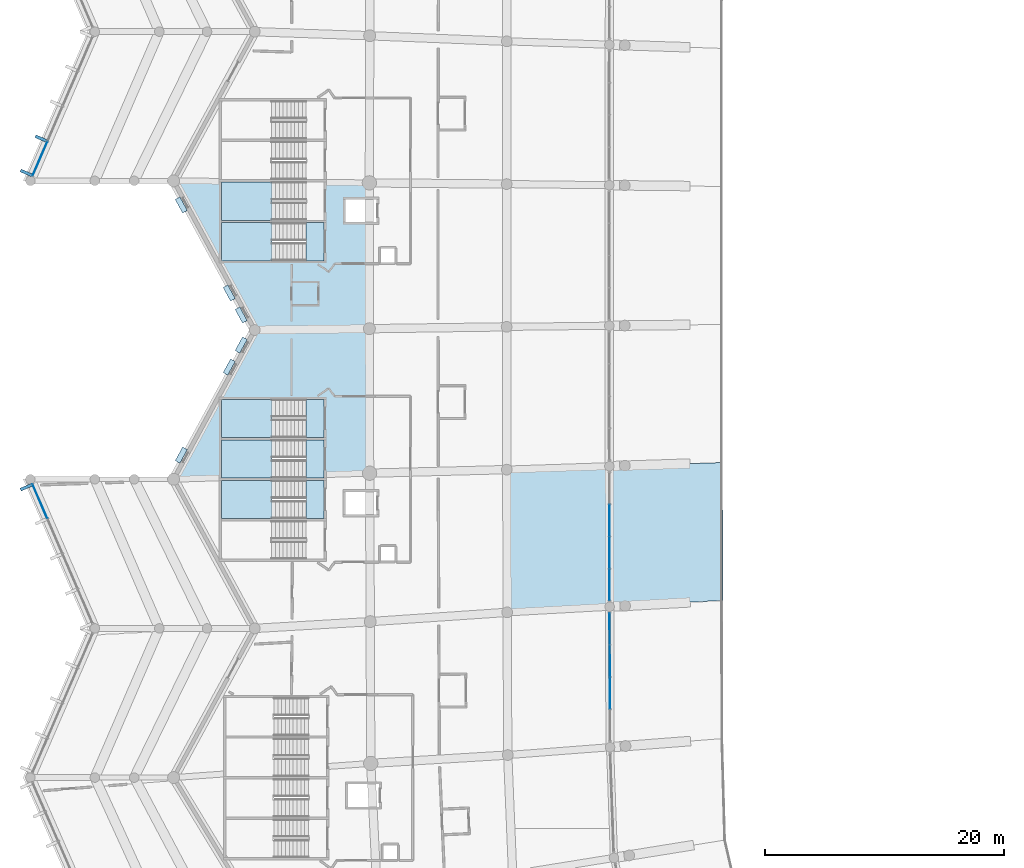
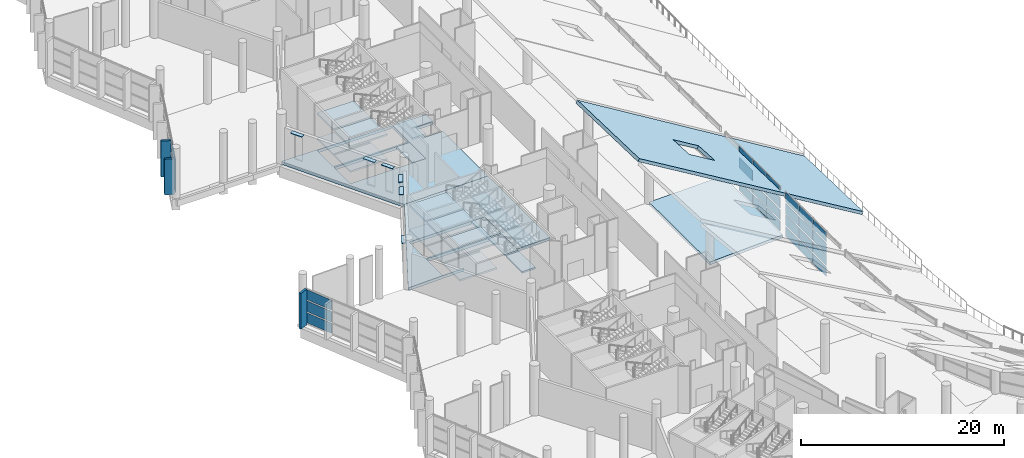
# One storey, part 105 of 249: 39 plates, 22 slabs, 9 elements without a shape of their own.
"""IFC4 building model written with IfcOpenShell, lengths in metres."""

from ifc_helpers import new_model, si_unit, direction, frame, origin, origin_2d, place, context, subcontext, project, spatial, polyline, rectangle, outline, extrude, material, layer, layer_set, type_object, element, aggregate, save


model = new_model("IFC4")

# Units and contexts
model_context = context("Model", 3, precision=1e-05, world=origin(), true_north=direction((0.0, 1.0)))
body_context = subcontext(model_context, "Body", "Model", "MODEL_VIEW")
ifc_project = project(units=[si_unit("LENGTHUNIT", "METRE"), si_unit("AREAUNIT", "SQUARE_METRE"), si_unit("VOLUMEUNIT", "CUBIC_METRE"), si_unit("PLANEANGLEUNIT", "RADIAN"), si_unit("MASSUNIT", "GRAM", prefix="KILO")], contexts=[model_context])

# Site, building, storey
site_placement = place(None, origin())
site = spatial("IfcSite", under=ifc_project, at=site_placement, CompositionType="ELEMENT")
building_placement = place(site_placement, origin())
building = spatial("IfcBuilding", under=site, at=building_placement, Name="Meseta Stadium", CompositionType="ELEMENT")
storey_placement = place(building_placement, frame((0.0, 0.0, 12.0)))
storey = spatial("IfcBuildingStorey", under=building, at=storey_placement, Name="L02", CompositionType="ELEMENT", Elevation=12.0)

# Curtain wall, plates
ifc_material_1 = material(Name="Aluminium", Category="aluminium")
ifc_layer_1 = layer(ifc_material_1, 0.199951171875)
ifc_layer_set_1 = layer_set([ifc_layer_1], Name="Suite glazing curtain wall")
curtain_wall_type_1 = type_object("IfcCurtainWallType", Name="Suite glazing curtain wall", PredefinedType="NOTDEFINED", material=ifc_layer_set_1)
curtain_wall_1_placement = place(storey_placement, origin())
curtain_wall_1 = element("IfcCurtainWall", 1, at=curtain_wall_1_placement, inside=storey, type_object=curtain_wall_type_1, Name="Suite glazing bay 34", PredefinedType="NOTDEFINED")
ifc_material_2 = material(Name="Glass", Category="glass")
ifc_layer_2 = layer(ifc_material_2, 0.035888671875)
ifc_layer_set_2 = layer_set([ifc_layer_2], Name="CW glass panel 36")
plate_type_1 = type_object("IfcPlateType", Name="CW glass panel 36", PredefinedType="CURTAIN_PANEL", material=ifc_layer_set_2)
plate_1_placement = place(storey_placement, frame((-64.878173828125, -22.195068359375, 0.14990234375), z_axis=(0.0, 0.0, 1.0), x_axis=(0.001946685349, -0.999998105206, 0.0)))
plate_1 = element("IfcPlate", 2, at=plate_1_placement, type_object=plate_type_1, Name="CWS panel 2.1", PredefinedType="CURTAIN_PANEL", context=body_context, shape_type="SweptSolid", body=[
    extrude(rectangle(XDim=2.6435546875, YDim=0.035888671875, at=origin_2d()), origin(), (0.0, 0.0, 1.0), 1.1875),
])
plate_2_placement = place(storey_placement, frame((-64.878173828125, -22.195068359375, 1.4873046875), z_axis=(0.0, 0.0, 1.0), x_axis=(0.001946685349, -0.999998105206, 0.0)))
plate_2 = element("IfcPlate", 3, at=plate_2_placement, type_object=plate_type_1, Name="CWS panel 2.2", PredefinedType="CURTAIN_PANEL", context=body_context, shape_type="SweptSolid", body=[
    extrude(rectangle(XDim=2.6435546875, YDim=0.035888671875, at=origin_2d()), origin(), (0.0, 0.0, 1.0), 1.262451171875),
])
plate_3_placement = place(storey_placement, frame((-64.878173828125, -22.195068359375, 2.89990234375), z_axis=(0.0, 0.0, 1.0), x_axis=(0.001946685349, -0.999998105206, 0.0)))
plate_3 = element("IfcPlate", 4, at=plate_3_placement, type_object=plate_type_1, Name="CWS panel 2.3", PredefinedType="CURTAIN_PANEL", context=body_context, shape_type="SweptSolid", body=[
    extrude(rectangle(XDim=2.6435546875, YDim=0.035888671875, at=origin_2d()), origin(), (0.0, 0.0, 1.0), 1.262451171875),
])
plate_4_placement = place(storey_placement, frame((-64.878173828125, -22.195068359375, 4.3125), z_axis=(0.0, 0.0, 1.0), x_axis=(0.001946685349, -0.999998105206, 0.0)))
plate_4 = element("IfcPlate", 5, at=plate_4_placement, type_object=plate_type_1, Name="CWS panel 2.4", PredefinedType="CURTAIN_PANEL", context=body_context, shape_type="SweptSolid", body=[
    extrude(rectangle(XDim=2.6435546875, YDim=0.035888671875, at=origin_2d()), origin(), (0.0, 0.0, 1.0), 1.1875),
])
plate_5_placement = place(storey_placement, frame((-64.873046875, -24.8984375, 0.14990234375), z_axis=(0.0, 0.0, 1.0), x_axis=(0.001946685349, -0.999998105206, 0.0)))
plate_5 = element("IfcPlate", 6, at=plate_5_placement, type_object=plate_type_1, Name="CWS panel 3.1", PredefinedType="CURTAIN_PANEL", context=body_context, shape_type="SweptSolid", body=[
    extrude(rectangle(XDim=2.6435546875, YDim=0.035888671875, at=origin_2d()), origin(), (0.0, 0.0, 1.0), 1.1875),
])
plate_6_placement = place(storey_placement, frame((-64.873046875, -24.8984375, 1.4873046875), z_axis=(0.0, 0.0, 1.0), x_axis=(0.001946685349, -0.999998105206, 0.0)))
plate_6 = element("IfcPlate", 7, at=plate_6_placement, type_object=plate_type_1, Name="CWS panel 3.2", PredefinedType="CURTAIN_PANEL", context=body_context, shape_type="SweptSolid", body=[
    extrude(rectangle(XDim=2.6435546875, YDim=0.035888671875, at=origin_2d()), origin(), (0.0, 0.0, 1.0), 1.262451171875),
])
plate_7_placement = place(storey_placement, frame((-64.873046875, -24.8984375, 2.89990234375), z_axis=(0.0, 0.0, 1.0), x_axis=(0.001946685349, -0.999998105206, 0.0)))
plate_7 = element("IfcPlate", 8, at=plate_7_placement, type_object=plate_type_1, Name="CWS panel 3.3", PredefinedType="CURTAIN_PANEL", context=body_context, shape_type="SweptSolid", body=[
    extrude(rectangle(XDim=2.6435546875, YDim=0.035888671875, at=origin_2d()), origin(), (0.0, 0.0, 1.0), 1.262451171875),
])
plate_8_placement = place(storey_placement, frame((-64.873046875, -24.8984375, 4.3125), z_axis=(0.0, 0.0, 1.0), x_axis=(0.001946685349, -0.999998105206, 0.0)))
plate_8 = element("IfcPlate", 9, at=plate_8_placement, type_object=plate_type_1, Name="CWS panel 3.4", PredefinedType="CURTAIN_PANEL", context=body_context, shape_type="SweptSolid", body=[
    extrude(rectangle(XDim=2.6435546875, YDim=0.035888671875, at=origin_2d()), origin(), (0.0, 0.0, 1.0), 1.1875),
])
plate_9_placement = place(storey_placement, frame((-64.86767578125, -27.5869140625, 0.14990234375), z_axis=(0.0, 0.0, 1.0), x_axis=(0.001946685349, -0.999998105206, 0.0)))
plate_9 = element("IfcPlate", 10, at=plate_9_placement, type_object=plate_type_1, Name="CWS panel 4.1", PredefinedType="CURTAIN_PANEL", context=body_context, shape_type="SweptSolid", body=[
    extrude(rectangle(XDim=2.613525390625, YDim=0.035888671875, at=origin_2d()), origin(), (0.0, 0.0, 1.0), 1.1875),
])
plate_10_placement = place(storey_placement, frame((-64.86767578125, -27.5869140625, 1.4873046875), z_axis=(0.0, 0.0, 1.0), x_axis=(0.001946685349, -0.999998105206, 0.0)))
plate_10 = element("IfcPlate", 11, at=plate_10_placement, type_object=plate_type_1, Name="CWS panel 4.2", PredefinedType="CURTAIN_PANEL", context=body_context, shape_type="SweptSolid", body=[
    extrude(rectangle(XDim=2.613525390625, YDim=0.035888671875, at=origin_2d()), origin(), (0.0, 0.0, 1.0), 1.262451171875),
])
plate_11_placement = place(storey_placement, frame((-64.86767578125, -27.5869140625, 2.89990234375), z_axis=(0.0, 0.0, 1.0), x_axis=(0.001946685349, -0.999998105206, 0.0)))
plate_11 = element("IfcPlate", 12, at=plate_11_placement, type_object=plate_type_1, Name="CWS panel 4.3", PredefinedType="CURTAIN_PANEL", context=body_context, shape_type="SweptSolid", body=[
    extrude(rectangle(XDim=2.613525390625, YDim=0.035888671875, at=origin_2d()), origin(), (0.0, 0.0, 1.0), 1.262451171875),
])
plate_12_placement = place(storey_placement, frame((-64.86767578125, -27.5869140625, 4.3125), z_axis=(0.0, 0.0, 1.0), x_axis=(0.001946685349, -0.999998105206, 0.0)))
plate_12 = element("IfcPlate", 13, at=plate_12_placement, type_object=plate_type_1, Name="CWS panel 4.4", PredefinedType="CURTAIN_PANEL", context=body_context, shape_type="SweptSolid", body=[
    extrude(rectangle(XDim=2.613525390625, YDim=0.035888671875, at=origin_2d()), origin(), (0.0, 0.0, 1.0), 1.1875),
])
aggregate(curtain_wall_1, [plate_1, plate_2, plate_3, plate_4, plate_5, plate_6, plate_7, plate_8, plate_9, plate_10, plate_11, plate_12])

curtain_wall_2_placement = place(storey_placement, origin())
curtain_wall_2 = element("IfcCurtainWall", 14, at=curtain_wall_2_placement, inside=storey, type_object=curtain_wall_type_1, Name="Suite glazing bay 35", PredefinedType="NOTDEFINED")
plate_13_placement = place(storey_placement, frame((-64.85888671875, -31.279296875, 0.14990234375), z_axis=(0.0, 0.0, 1.0), x_axis=(0.002910007458, -0.999995765919, 0.0)))
plate_13 = element("IfcPlate", 15, at=plate_13_placement, type_object=plate_type_1, Name="CWS panel 1.1", PredefinedType="CURTAIN_PANEL", context=body_context, shape_type="SweptSolid", body=[
    extrude(rectangle(XDim=2.61279296875, YDim=0.035888671875, at=origin_2d()), origin(), (0.0, 0.0, 1.0), 1.1875),
])
plate_14_placement = place(storey_placement, frame((-64.85888671875, -31.279296875, 1.4873046875), z_axis=(0.0, 0.0, 1.0), x_axis=(0.002910007458, -0.999995765919, 0.0)))
plate_14 = element("IfcPlate", 16, at=plate_14_placement, type_object=plate_type_1, Name="CWS panel 1.2", PredefinedType="CURTAIN_PANEL", context=body_context, shape_type="SweptSolid", body=[
    extrude(rectangle(XDim=2.61279296875, YDim=0.035888671875, at=origin_2d()), origin(), (0.0, 0.0, 1.0), 1.262451171875),
])
plate_15_placement = place(storey_placement, frame((-64.85888671875, -31.279296875, 2.89990234375), z_axis=(0.0, 0.0, 1.0), x_axis=(0.002910007458, -0.999995765919, 0.0)))
plate_15 = element("IfcPlate", 17, at=plate_15_placement, type_object=plate_type_1, Name="CWS panel 1.3", PredefinedType="CURTAIN_PANEL", context=body_context, shape_type="SweptSolid", body=[
    extrude(rectangle(XDim=2.61279296875, YDim=0.035888671875, at=origin_2d()), origin(), (0.0, 0.0, 1.0), 1.262451171875),
])
plate_16_placement = place(storey_placement, frame((-64.85888671875, -31.279296875, 4.3125), z_axis=(0.0, 0.0, 1.0), x_axis=(0.002910007458, -0.999995765919, 0.0)))
plate_16 = element("IfcPlate", 18, at=plate_16_placement, type_object=plate_type_1, Name="CWS panel 1.4", PredefinedType="CURTAIN_PANEL", context=body_context, shape_type="SweptSolid", body=[
    extrude(rectangle(XDim=2.61279296875, YDim=0.035888671875, at=origin_2d()), origin(), (0.0, 0.0, 1.0), 1.1875),
])
plate_17_placement = place(storey_placement, frame((-64.85107421875, -33.967041015625, 0.14990234375), z_axis=(0.0, 0.0, 1.0), x_axis=(0.002910007458, -0.999995765919, 0.0)))
plate_17 = element("IfcPlate", 19, at=plate_17_placement, type_object=plate_type_1, Name="CWS panel 2.1", PredefinedType="CURTAIN_PANEL", context=body_context, shape_type="SweptSolid", body=[
    extrude(rectangle(XDim=2.642822265625, YDim=0.035888671875, at=origin_2d()), origin(), (0.0, 0.0, 1.0), 1.1875),
])
plate_18_placement = place(storey_placement, frame((-64.85107421875, -33.967041015625, 1.4873046875), z_axis=(0.0, 0.0, 1.0), x_axis=(0.002910007458, -0.999995765919, 0.0)))
plate_18 = element("IfcPlate", 20, at=plate_18_placement, type_object=plate_type_1, Name="CWS panel 2.2", PredefinedType="CURTAIN_PANEL", context=body_context, shape_type="SweptSolid", body=[
    extrude(rectangle(XDim=2.642822265625, YDim=0.035888671875, at=origin_2d()), origin(), (0.0, 0.0, 1.0), 1.262451171875),
])
plate_19_placement = place(storey_placement, frame((-64.85107421875, -33.967041015625, 2.89990234375), z_axis=(0.0, 0.0, 1.0), x_axis=(0.002910007458, -0.999995765919, 0.0)))
plate_19 = element("IfcPlate", 21, at=plate_19_placement, type_object=plate_type_1, Name="CWS panel 2.3", PredefinedType="CURTAIN_PANEL", context=body_context, shape_type="SweptSolid", body=[
    extrude(rectangle(XDim=2.642822265625, YDim=0.035888671875, at=origin_2d()), origin(), (0.0, 0.0, 1.0), 1.262451171875),
])
plate_20_placement = place(storey_placement, frame((-64.85107421875, -33.967041015625, 4.3125), z_axis=(0.0, 0.0, 1.0), x_axis=(0.002910007458, -0.999995765919, 0.0)))
plate_20 = element("IfcPlate", 22, at=plate_20_placement, type_object=plate_type_1, Name="CWS panel 2.4", PredefinedType="CURTAIN_PANEL", context=body_context, shape_type="SweptSolid", body=[
    extrude(rectangle(XDim=2.642822265625, YDim=0.035888671875, at=origin_2d()), origin(), (0.0, 0.0, 1.0), 1.1875),
])
plate_21_placement = place(storey_placement, frame((-64.843017578125, -36.669677734375, 0.14990234375), z_axis=(0.0, 0.0, 1.0), x_axis=(0.002910007458, -0.999995765919, 0.0)))
plate_21 = element("IfcPlate", 23, at=plate_21_placement, type_object=plate_type_1, Name="CWS panel 3.1", PredefinedType="CURTAIN_PANEL", context=body_context, shape_type="SweptSolid", body=[
    extrude(rectangle(XDim=2.642822265625, YDim=0.035888671875, at=origin_2d()), origin(), (0.0, 0.0, 1.0), 1.1875),
])
plate_22_placement = place(storey_placement, frame((-64.843017578125, -36.669677734375, 1.4873046875), z_axis=(0.0, 0.0, 1.0), x_axis=(0.002910007458, -0.999995765919, 0.0)))
plate_22 = element("IfcPlate", 24, at=plate_22_placement, type_object=plate_type_1, Name="CWS panel 3.2", PredefinedType="CURTAIN_PANEL", context=body_context, shape_type="SweptSolid", body=[
    extrude(rectangle(XDim=2.642822265625, YDim=0.035888671875, at=origin_2d()), origin(), (0.0, 0.0, 1.0), 1.262451171875),
])
plate_23_placement = place(storey_placement, frame((-64.843017578125, -36.669677734375, 2.89990234375), z_axis=(0.0, 0.0, 1.0), x_axis=(0.002910007458, -0.999995765919, 0.0)))
plate_23 = element("IfcPlate", 25, at=plate_23_placement, type_object=plate_type_1, Name="CWS panel 3.3", PredefinedType="CURTAIN_PANEL", context=body_context, shape_type="SweptSolid", body=[
    extrude(rectangle(XDim=2.642822265625, YDim=0.035888671875, at=origin_2d()), origin(), (0.0, 0.0, 1.0), 1.262451171875),
])
plate_24_placement = place(storey_placement, frame((-64.843017578125, -36.669677734375, 4.3125), z_axis=(0.0, 0.0, 1.0), x_axis=(0.002910007458, -0.999995765919, 0.0)))
plate_24 = element("IfcPlate", 26, at=plate_24_placement, type_object=plate_type_1, Name="CWS panel 3.4", PredefinedType="CURTAIN_PANEL", context=body_context, shape_type="SweptSolid", body=[
    extrude(rectangle(XDim=2.642822265625, YDim=0.035888671875, at=origin_2d()), origin(), (0.0, 0.0, 1.0), 1.1875),
])
aggregate(curtain_wall_2, [plate_13, plate_14, plate_15, plate_16, plate_17, plate_18, plate_19, plate_20, plate_21, plate_22, plate_23, plate_24])

# Slabs
ifc_material_3 = material(Name="Concrete C40/50", Category="concrete")
ifc_layer_3 = layer(ifc_material_3, 0.35009765625)
ifc_layer_set_3 = layer_set([ifc_layer_3], Name="Floor slab 350")
slab_type_1 = type_object("IfcSlabType", Name="Floor slab 350", PredefinedType="FLOOR", material=ifc_layer_set_3)
slab_1_placement = place(storey_placement, frame((0.0, 0.0, -0.35009765625)))
element("IfcSlab", 27, at=slab_1_placement, inside=storey, type_object=slab_type_1, Name="Floor slab L02 sector 28 panel 01", PredefinedType="FLOOR", context=body_context, shape_type="SweptSolid", body=[
    extrude(outline(polyline([(-88.8798828125, 6.14990234375), (-101.3798828125, 6.287109375), (-101.39990234375, 6.25), (-94.6201171875, -6.212890625), (-84.9970703125, -6.107421875), (-84.997314453125, 2.800048828125), (-87.0, 2.800048828125), (-87.0, 4.699951171875), (-84.99755859375, 4.699951171875), (-84.99755859375, 6.107421875), (-88.800048828125, 6.149169921875), (-88.800048828125, 2.949951171875), (-97.39990234375, 2.949951171875), (-97.39990234375, 6.14990234375), (-88.8798828125, 6.14990234375)]), holes=[polyline([(-88.800048828125, 2.75), (-88.800048828125, -0.449951171875), (-97.39990234375, -0.449951171875), (-97.39990234375, 2.75), (-88.800048828125, 2.75)])]), origin(), (0.0, 0.0, 1.0), 0.35009765625),
])
slab_2_placement = place(storey_placement, frame((0.0, 0.0, -0.35009765625)))
element("IfcSlab", 28, at=slab_2_placement, inside=storey, type_object=slab_type_1, Name="Floor slab L02 sector 28 panel 05", PredefinedType="FLOOR", context=body_context, shape_type="SweptSolid", body=[
    extrude(outline(polyline([(-84.9970703125, -6.107421875), (-94.6201171875, -6.212890625), (-94.60009765625, -6.25), (-101.39990234375, -18.75), (-101.340087890625, -18.85986328125), (-94.9599609375, -18.64990234375), (-97.39990234375, -18.64990234375), (-97.39990234375, -15.449951171875), (-88.800048828125, -15.449951171875), (-88.800048828125, -18.447509765625), (-84.978515625, -18.32177734375), (-84.9970703125, -6.107421875)]), holes=[polyline([(-88.800048828125, -12.050048828125), (-88.800048828125, -15.25), (-97.39990234375, -15.25), (-97.39990234375, -12.050048828125), (-88.800048828125, -12.050048828125)])]), origin(), (0.0, 0.0, 1.0), 0.35009765625),
])
slab_3_placement = place(storey_placement, frame((0.0, 0.0, -0.35009765625)))
element("IfcSlab", 29, at=slab_3_placement, inside=storey, type_object=slab_type_1, Name="Floor slab L02 sector 28 panel 18", PredefinedType="FLOOR", context=body_context, shape_type="SweptSolid", body=[
    extrude(outline(polyline([(-73.451416015625, -29.89404296875), (-64.8642578125, -29.42333984375), (-64.876953125, -23.547119140625), (-64.88720703125, -17.660888671875), (-73.482421875, -17.943603515625), (-73.451416015625, -29.89404296875)])), origin(), (0.0, 0.0, 1.0), 0.35009765625),
])

# Plates
ifc_material_4 = material(Name="White precast concrete C40/50", Category="concrete")
ifc_layer_4 = layer(ifc_material_4, 0.080078125)
ifc_layer_set_4 = layer_set([ifc_layer_4], Name="Louvre hood 1300x450")
plate_type_2 = type_object("IfcPlateType", Name="Louvre hood 1300x450", PredefinedType="USERDEFINED", material=ifc_layer_set_4)
for number, where, z_axis, x_axis, name in (
    (30, (-95.73974609375, -4.99169921875, 4.25), (0.0, 0.0, 1.0), (0.477867090202, -0.878432151109, 0.0), "Louvre hood L02 F32"),
    (31, (-96.743408203125, -3.14697265625, 4.25), (0.0, 0.0, 1.0), (0.477867090202, -0.878432151109, 0.0), "Louvre hood L02 F32"),
    (32, (-100.757568359375, 4.231689453125, 4.25), (0.0, 0.0, 1.0), (0.477867090202, -0.878432151109, 0.0), "Louvre hood L02 F32"),
    (33, (-95.73974609375, -7.50830078125, 4.25), (0.0, 0.0, 1.0), (-0.477867090202, -0.878432151109, 0.0), "Louvre hood L02 F33"),
    (34, (-96.743408203125, -9.35302734375, 4.25), (0.0, 0.0, 1.0), (-0.477867090202, -0.878432151109, 0.0), "Louvre hood L02 F33"),
    (35, (-100.757568359375, -16.731689453125, 4.25), (0.0, 0.0, 1.0), (-0.477867090202, -0.878432151109, 0.0), "Louvre hood L02 F33"),
):
    element("IfcPlate", number, at=place(storey_placement, frame(where, z_axis=z_axis, x_axis=x_axis)), inside=storey, type_object=plate_type_2, Name=name, ObjectType="LOUVRE", PredefinedType="USERDEFINED", context=body_context, shape_type="SweptSolid", body=[
        extrude(rectangle(XDim=1.300048828125, YDim=0.449951171875, at=origin_2d()), origin(), (0.0, 0.0, 1.0), 0.080078125),
    ])

# Curtain wall, plates
ifc_material_5 = material(Name="Aluminium", Category="aluminium")
ifc_layer_5 = layer(ifc_material_5, 0.199951171875)
ifc_layer_set_5 = layer_set([ifc_layer_5], Name="Ring shopfront curtain wall")
curtain_wall_type_2 = type_object("IfcCurtainWallType", Name="Ring shopfront curtain wall", PredefinedType="NOTDEFINED", material=ifc_layer_set_5)
curtain_wall_3_placement = place(storey_placement, origin())
curtain_wall_3 = element("IfcCurtainWall", 36, at=curtain_wall_3_placement, inside=storey, type_object=curtain_wall_type_2, Name="Ring glazing L02 F31", PredefinedType="NOTDEFINED")
ifc_material_6 = material(Name="Glass", Category="glass")
ifc_layer_6 = layer(ifc_material_6, 0.035888671875)
ifc_layer_set_6 = layer_set([ifc_layer_6], Name="Ring CW glass panel 36")
plate_type_3 = type_object("IfcPlateType", Name="Ring CW glass panel 36", PredefinedType="CURTAIN_PANEL", material=ifc_layer_set_6)
plate_25_placement = place(storey_placement, frame((-112.60009765625, 8.1015625, 0.14990234375), z_axis=(0.0, 0.0, 1.0), x_axis=(-0.396580687073, -0.91799986854, 0.0)))
plate_25 = element("IfcPlate", 37, at=plate_25_placement, type_object=plate_type_3, Name="CWR1 panel 4.1", PredefinedType="CURTAIN_PANEL", context=body_context, shape_type="SweptSolid", body=[
    extrude(rectangle(XDim=3.1142578125, YDim=0.035888671875, at=origin_2d()), origin(), (0.0, 0.0, 1.0), 1.208251953125),
])
plate_26_placement = place(storey_placement, frame((-112.60009765625, 8.1015625, 1.50830078125), z_axis=(0.0, 0.0, 1.0), x_axis=(-0.396580687073, -0.91799986854, 0.0)))
plate_26 = element("IfcPlate", 38, at=plate_26_placement, type_object=plate_type_3, Name="CWR1 panel 4.2", PredefinedType="CURTAIN_PANEL", context=body_context, shape_type="SweptSolid", body=[
    extrude(rectangle(XDim=3.1142578125, YDim=0.035888671875, at=origin_2d()), origin(), (0.0, 0.0, 1.0), 1.283447265625),
])
plate_27_placement = place(storey_placement, frame((-112.60009765625, 8.1015625, 2.94189453125), z_axis=(0.0, 0.0, 1.0), x_axis=(-0.396580687073, -0.91799986854, 0.0)))
plate_27 = element("IfcPlate", 39, at=plate_27_placement, type_object=plate_type_3, Name="CWR1 panel 4.3", PredefinedType="CURTAIN_PANEL", context=body_context, shape_type="SweptSolid", body=[
    extrude(rectangle(XDim=3.1142578125, YDim=0.035888671875, at=origin_2d()), origin(), (0.0, 0.0, 1.0), 1.208251953125),
])
aggregate(curtain_wall_3, [plate_25, plate_26, plate_27])

curtain_wall_4_placement = place(storey_placement, origin())
curtain_wall_4 = element("IfcCurtainWall", 40, at=curtain_wall_4_placement, inside=storey, type_object=curtain_wall_type_2, Name="Ring glazing L02 F34", PredefinedType="NOTDEFINED")
plate_28_placement = place(storey_placement, frame((-112.60009765625, -20.6015625, 0.14990234375), z_axis=(0.0, 0.0, 1.0), x_axis=(0.396580687073, -0.91799986854, 0.0)))
plate_28 = element("IfcPlate", 41, at=plate_28_placement, type_object=plate_type_3, Name="CWR1 panel 1.1", PredefinedType="CURTAIN_PANEL", context=body_context, shape_type="SweptSolid", body=[
    extrude(rectangle(XDim=3.1142578125, YDim=0.035888671875, at=origin_2d()), origin(), (0.0, 0.0, 1.0), 1.208251953125),
])
plate_29_placement = place(storey_placement, frame((-112.60009765625, -20.6015625, 1.50830078125), z_axis=(0.0, 0.0, 1.0), x_axis=(0.396580687073, -0.91799986854, 0.0)))
plate_29 = element("IfcPlate", 42, at=plate_29_placement, type_object=plate_type_3, Name="CWR1 panel 1.2", PredefinedType="CURTAIN_PANEL", context=body_context, shape_type="SweptSolid", body=[
    extrude(rectangle(XDim=3.1142578125, YDim=0.035888671875, at=origin_2d()), origin(), (0.0, 0.0, 1.0), 1.283447265625),
])
plate_30_placement = place(storey_placement, frame((-112.60009765625, -20.6015625, 2.94189453125), z_axis=(0.0, 0.0, 1.0), x_axis=(0.396580687073, -0.91799986854, 0.0)))
plate_30 = element("IfcPlate", 43, at=plate_30_placement, type_object=plate_type_3, Name="CWR1 panel 1.3", PredefinedType="CURTAIN_PANEL", context=body_context, shape_type="SweptSolid", body=[
    extrude(rectangle(XDim=3.1142578125, YDim=0.035888671875, at=origin_2d()), origin(), (0.0, 0.0, 1.0), 1.208251953125),
])
aggregate(curtain_wall_4, [plate_28, plate_29, plate_30])

# Plates
ifc_material_7 = material(Name="Precast concrete C40/50", Category="concrete")
ifc_layer_7 = layer(ifc_material_7, 0.25)
ifc_layer_set_7 = layer_set([ifc_layer_7], Name="Ring brise-soleil fin 250x1000")
plate_type_4 = type_object("IfcPlateType", Name="Ring brise-soleil fin 250x1000", PredefinedType="USERDEFINED", material=ifc_layer_set_7)
for number, where, z_axis, x_axis, name in (
    (44, (-112.521484375, 9.79638671875, 0.0), (0.0, 0.0, 1.0), (-0.396575976693, -0.918001903435, 0.0), "Brise-soleil fin L02 F31.4"),
    (45, (-113.762451171875, 6.924072265625, 0.0), (0.0, 0.0, 1.0), (-0.396575976693, -0.918001903435, 0.0), "Brise-soleil fin L02 F31.5"),
    (46, (-113.762451171875, -19.424072265625, 0.0), (0.0, 0.0, 1.0), (0.396575976693, -0.918001903435, 0.0), "Brise-soleil fin L02 F34.1"),
):
    element("IfcPlate", number, at=place(storey_placement, frame(where, z_axis=z_axis, x_axis=x_axis)), inside=storey, type_object=plate_type_4, Name=name, ObjectType="FIN", PredefinedType="USERDEFINED", context=body_context, shape_type="SweptSolid", body=[
        extrude(rectangle(XDim=0.25, YDim=1.0, at=origin_2d()), origin(), (0.0, 0.0, 1.0), 4.300048828125),
    ])

# Slab
ifc_material_8 = material(Name="Concrete C40/50", Category="concrete")
ifc_layer_8 = layer(ifc_material_8, 0.35009765625)
ifc_layer_set_8 = layer_set([ifc_layer_8], Name="Seating tier 350")
slab_type_2 = type_object("IfcSlabType", Name="Seating tier 350", PredefinedType="USERDEFINED", material=ifc_layer_set_8)
slab_4_placement = place(storey_placement, frame((-55.39208984375, -17.348388671875, -1.154052734375), z_axis=(0.529490631493, 0.023221750273, 0.847997890018), x_axis=(-0.847553767023, -0.027879022369, 0.529976765639)))
element("IfcSlab", 47, at=slab_4_placement, inside=storey, type_object=slab_type_2, Name="Stand upper tier bay 35", ObjectType="SEATING TIER", PredefinedType="USERDEFINED", context=body_context, shape_type="SweptSolid", body=[
    extrude(outline(polyline([(0.0, 0.0), (31.13163102323334, -2.7755575615628914e-17), (31.599913337037506, 12.127010479604698), (0.4737118994705445, 11.54932932134602), (0.0, 0.0)]), holes=[polyline([(17.81982421875, 4.44287109375), (21.357666015625, 4.4755859375), (21.32958984375, 7.475341796875), (17.792236328125, 7.442626953125), (17.81982421875, 4.44287109375)])]), origin(), (0.0, 0.0, -1.0), 0.35009765625),
])

# Stair, slabs
ifc_material_9 = material(Name="Concrete C40/50", Category="concrete")
stair_type = type_object("IfcStairType", Name="Exit stair 4 flights 150 mm risers", PredefinedType="HALF_TURN_STAIR", material=ifc_material_9)
stair_1_placement = place(storey_placement, origin())
stair_1 = element("IfcStair", 48, at=stair_1_placement, inside=storey, type_object=stair_type, Name="ST67 L02", PredefinedType="HALF_TURN_STAIR")
ifc_material_10 = material(Name="Concrete C40/50", Category="concrete")
ifc_layer_9 = layer(ifc_material_10, 0.199951171875)
ifc_layer_set_9 = layer_set([ifc_layer_9], Name="Stair landing 200")
slab_type_3 = type_object("IfcSlabType", Name="Stair landing 200", PredefinedType="LANDING", material=ifc_layer_set_9)
slab_5_placement = place(storey_placement, frame((0.0, 0.0, 1.300048828125)))
slab_5 = element("IfcSlab", 49, at=slab_5_placement, type_object=slab_type_3, Name="ST67 L02 landing 1", PredefinedType="LANDING", context=body_context, shape_type="SweptSolid", body=[
    extrude(outline(polyline([(-93.169921875, 6.14990234375), (-97.39990234375, 6.14990234375), (-97.39990234375, 2.949951171875), (-93.169921875, 2.949951171875), (-93.169921875, 6.14990234375)])), origin(), (0.0, 0.0, 1.0), 0.199951171875),
])
slab_6_placement = place(storey_placement, frame((0.0, 0.0, 4.300048828125)))
slab_6 = element("IfcSlab", 50, at=slab_6_placement, type_object=slab_type_3, Name="ST67 L02 landing 3", PredefinedType="LANDING", context=body_context, shape_type="SweptSolid", body=[
    extrude(outline(polyline([(-93.169921875, 6.14990234375), (-97.39990234375, 6.14990234375), (-97.39990234375, 2.949951171875), (-93.169921875, 2.949951171875), (-93.169921875, 6.14990234375)])), origin(), (0.0, 0.0, 1.0), 0.199951171875),
])
aggregate(stair_1, [slab_5, slab_6])

stair_2_placement = place(storey_placement, origin())
stair_2 = element("IfcStair", 51, at=stair_2_placement, inside=storey, type_object=stair_type, Name="ST68 L02", PredefinedType="HALF_TURN_STAIR")
slab_7_placement = place(storey_placement, frame((0.0, 0.0, 1.300048828125)))
slab_7 = element("IfcSlab", 52, at=slab_7_placement, type_object=slab_type_3, Name="ST68 L02 landing 1", PredefinedType="LANDING", context=body_context, shape_type="SweptSolid", body=[
    extrude(outline(polyline([(-93.169921875, 2.75), (-97.39990234375, 2.75), (-97.39990234375, -0.449951171875), (-93.169921875, -0.449951171875), (-93.169921875, 2.75)])), origin(), (0.0, 0.0, 1.0), 0.199951171875),
])
slab_8_placement = place(storey_placement, frame((0.0, 0.0, 2.800048828125)))
slab_8 = element("IfcSlab", 53, at=slab_8_placement, type_object=slab_type_3, Name="ST68 L02 landing 2", PredefinedType="LANDING", context=body_context, shape_type="SweptSolid", body=[
    extrude(outline(polyline([(-88.800048828125, 2.75), (-90.31005859375, 2.75), (-90.31005859375, -0.449951171875), (-88.800048828125, -0.449951171875), (-88.800048828125, 2.75)])), origin(), (0.0, 0.0, 1.0), 0.199951171875),
])
slab_9_placement = place(storey_placement, frame((0.0, 0.0, 4.300048828125)))
slab_9 = element("IfcSlab", 54, at=slab_9_placement, type_object=slab_type_3, Name="ST68 L02 landing 3", PredefinedType="LANDING", context=body_context, shape_type="SweptSolid", body=[
    extrude(outline(polyline([(-93.169921875, 2.75), (-97.39990234375, 2.75), (-97.39990234375, -0.449951171875), (-93.169921875, -0.449951171875), (-93.169921875, 2.75)])), origin(), (0.0, 0.0, 1.0), 0.199951171875),
])
slab_10_placement = place(storey_placement, frame((0.0, 0.0, -0.199951171875)))
slab_10 = element("IfcSlab", 55, at=slab_10_placement, type_object=slab_type_3, Name="ST68 L02 landing 4", PredefinedType="LANDING", context=body_context, shape_type="SweptSolid", body=[
    extrude(outline(polyline([(-88.800048828125, 2.75), (-90.31005859375, 2.75), (-90.31005859375, -0.449951171875), (-88.800048828125, -0.449951171875), (-88.800048828125, 2.75)])), origin(), (0.0, 0.0, 1.0), 0.199951171875),
])
aggregate(stair_2, [slab_7, slab_8, slab_9, slab_10])

stair_3_placement = place(storey_placement, origin())
stair_3 = element("IfcStair", 56, at=stair_3_placement, inside=storey, type_object=stair_type, Name="ST69 L02", PredefinedType="HALF_TURN_STAIR")
slab_11_placement = place(storey_placement, frame((0.0, 0.0, 1.300048828125)))
slab_11 = element("IfcSlab", 57, at=slab_11_placement, type_object=slab_type_3, Name="ST69 L02 landing 1", PredefinedType="LANDING", context=body_context, shape_type="SweptSolid", body=[
    extrude(outline(polyline([(-93.169921875, -12.050048828125), (-97.39990234375, -12.050048828125), (-97.39990234375, -15.25), (-93.169921875, -15.25), (-93.169921875, -12.050048828125)])), origin(), (0.0, 0.0, 1.0), 0.199951171875),
])
slab_12_placement = place(storey_placement, frame((0.0, 0.0, 2.800048828125)))
slab_12 = element("IfcSlab", 58, at=slab_12_placement, type_object=slab_type_3, Name="ST69 L02 landing 2", PredefinedType="LANDING", context=body_context, shape_type="SweptSolid", body=[
    extrude(outline(polyline([(-88.800048828125, -12.050048828125), (-90.31005859375, -12.050048828125), (-90.31005859375, -15.25), (-88.800048828125, -15.25), (-88.800048828125, -12.050048828125)])), origin(), (0.0, 0.0, 1.0), 0.199951171875),
])
slab_13_placement = place(storey_placement, frame((0.0, 0.0, 4.300048828125)))
slab_13 = element("IfcSlab", 59, at=slab_13_placement, type_object=slab_type_3, Name="ST69 L02 landing 3", PredefinedType="LANDING", context=body_context, shape_type="SweptSolid", body=[
    extrude(outline(polyline([(-93.169921875, -12.050048828125), (-97.39990234375, -12.050048828125), (-97.39990234375, -15.25), (-93.169921875, -15.25), (-93.169921875, -12.050048828125)])), origin(), (0.0, 0.0, 1.0), 0.199951171875),
])
slab_14_placement = place(storey_placement, frame((0.0, 0.0, -0.199951171875)))
slab_14 = element("IfcSlab", 60, at=slab_14_placement, type_object=slab_type_3, Name="ST69 L02 landing 4", PredefinedType="LANDING", context=body_context, shape_type="SweptSolid", body=[
    extrude(outline(polyline([(-88.800048828125, -12.050048828125), (-90.31005859375, -12.050048828125), (-90.31005859375, -15.25), (-88.800048828125, -15.25), (-88.800048828125, -12.050048828125)])), origin(), (0.0, 0.0, 1.0), 0.199951171875),
])
aggregate(stair_3, [slab_11, slab_12, slab_13, slab_14])

stair_4_placement = place(storey_placement, origin())
stair_4 = element("IfcStair", 61, at=stair_4_placement, inside=storey, type_object=stair_type, Name="ST70 L02", PredefinedType="HALF_TURN_STAIR")
slab_15_placement = place(storey_placement, frame((0.0, 0.0, 1.300048828125)))
slab_15 = element("IfcSlab", 62, at=slab_15_placement, type_object=slab_type_3, Name="ST70 L02 landing 1", PredefinedType="LANDING", context=body_context, shape_type="SweptSolid", body=[
    extrude(outline(polyline([(-93.169921875, -15.449951171875), (-97.39990234375, -15.449951171875), (-97.39990234375, -18.64990234375), (-93.169921875, -18.64990234375), (-93.169921875, -15.449951171875)])), origin(), (0.0, 0.0, 1.0), 0.199951171875),
])
slab_16_placement = place(storey_placement, frame((0.0, 0.0, 2.800048828125)))
slab_16 = element("IfcSlab", 63, at=slab_16_placement, type_object=slab_type_3, Name="ST70 L02 landing 2", PredefinedType="LANDING", context=body_context, shape_type="SweptSolid", body=[
    extrude(outline(polyline([(-88.800048828125, -15.449951171875), (-90.31005859375, -15.449951171875), (-90.31005859375, -18.64990234375), (-88.800048828125, -18.64990234375), (-88.800048828125, -15.449951171875)])), origin(), (0.0, 0.0, 1.0), 0.199951171875),
])
slab_17_placement = place(storey_placement, frame((0.0, 0.0, 4.300048828125)))
slab_17 = element("IfcSlab", 64, at=slab_17_placement, type_object=slab_type_3, Name="ST70 L02 landing 3", PredefinedType="LANDING", context=body_context, shape_type="SweptSolid", body=[
    extrude(outline(polyline([(-93.169921875, -15.449951171875), (-97.39990234375, -15.449951171875), (-97.39990234375, -18.64990234375), (-93.169921875, -18.64990234375), (-93.169921875, -15.449951171875)])), origin(), (0.0, 0.0, 1.0), 0.199951171875),
])
slab_18_placement = place(storey_placement, frame((0.0, 0.0, -0.199951171875)))
slab_18 = element("IfcSlab", 65, at=slab_18_placement, type_object=slab_type_3, Name="ST70 L02 landing 4", PredefinedType="LANDING", context=body_context, shape_type="SweptSolid", body=[
    extrude(outline(polyline([(-88.800048828125, -15.449951171875), (-90.31005859375, -15.449951171875), (-90.31005859375, -18.64990234375), (-88.800048828125, -18.64990234375), (-88.800048828125, -15.449951171875)])), origin(), (0.0, 0.0, 1.0), 0.199951171875),
])
aggregate(stair_4, [slab_15, slab_16, slab_17, slab_18])

stair_5_placement = place(storey_placement, origin())
stair_5 = element("IfcStair", 66, at=stair_5_placement, inside=storey, type_object=stair_type, Name="ST71 L02", PredefinedType="HALF_TURN_STAIR")
slab_19_placement = place(storey_placement, frame((0.0, 0.0, 1.300048828125)))
slab_19 = element("IfcSlab", 67, at=slab_19_placement, type_object=slab_type_3, Name="ST71 L02 landing 1", PredefinedType="LANDING", context=body_context, shape_type="SweptSolid", body=[
    extrude(outline(polyline([(-93.169921875, -18.85009765625), (-97.39990234375, -18.85009765625), (-97.39990234375, -22.050048828125), (-93.169921875, -22.050048828125), (-93.169921875, -18.85009765625)])), origin(), (0.0, 0.0, 1.0), 0.199951171875),
])
slab_20_placement = place(storey_placement, frame((0.0, 0.0, 2.800048828125)))
slab_20 = element("IfcSlab", 68, at=slab_20_placement, type_object=slab_type_3, Name="ST71 L02 landing 2", PredefinedType="LANDING", context=body_context, shape_type="SweptSolid", body=[
    extrude(outline(polyline([(-88.800048828125, -18.85009765625), (-90.31005859375, -18.85009765625), (-90.31005859375, -22.050048828125), (-88.800048828125, -22.050048828125), (-88.800048828125, -18.85009765625)])), origin(), (0.0, 0.0, 1.0), 0.199951171875),
])
slab_21_placement = place(storey_placement, frame((0.0, 0.0, 4.300048828125)))
slab_21 = element("IfcSlab", 69, at=slab_21_placement, type_object=slab_type_3, Name="ST71 L02 landing 3", PredefinedType="LANDING", context=body_context, shape_type="SweptSolid", body=[
    extrude(outline(polyline([(-93.169921875, -18.85009765625), (-97.39990234375, -18.85009765625), (-97.39990234375, -22.050048828125), (-93.169921875, -22.050048828125), (-93.169921875, -18.85009765625)])), origin(), (0.0, 0.0, 1.0), 0.199951171875),
])
slab_22_placement = place(storey_placement, frame((0.0, 0.0, -0.199951171875)))
slab_22 = element("IfcSlab", 70, at=slab_22_placement, type_object=slab_type_3, Name="ST71 L02 landing 4", PredefinedType="LANDING", context=body_context, shape_type="SweptSolid", body=[
    extrude(outline(polyline([(-88.800048828125, -18.85009765625), (-90.31005859375, -18.85009765625), (-90.31005859375, -22.050048828125), (-88.800048828125, -22.050048828125), (-88.800048828125, -18.85009765625)])), origin(), (0.0, 0.0, 1.0), 0.199951171875),
])
aggregate(stair_5, [slab_19, slab_20, slab_21, slab_22])

save(model, "model.ifc")
